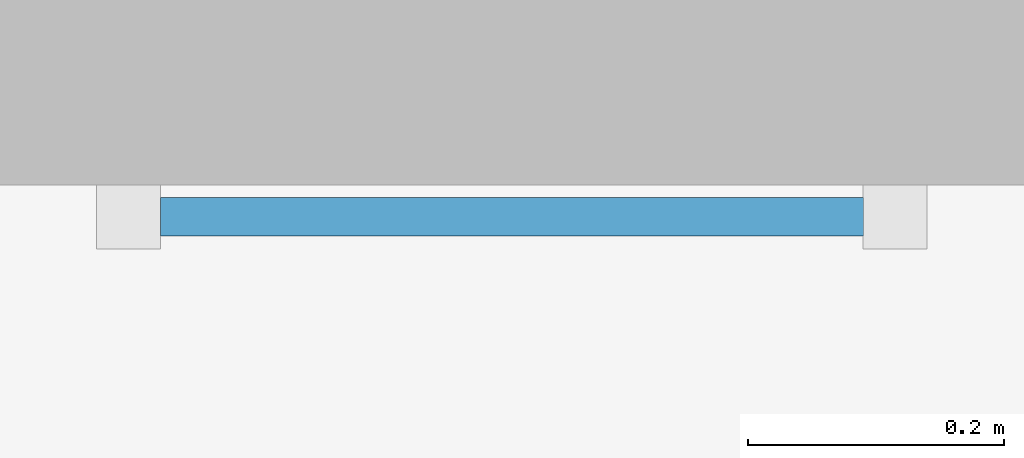
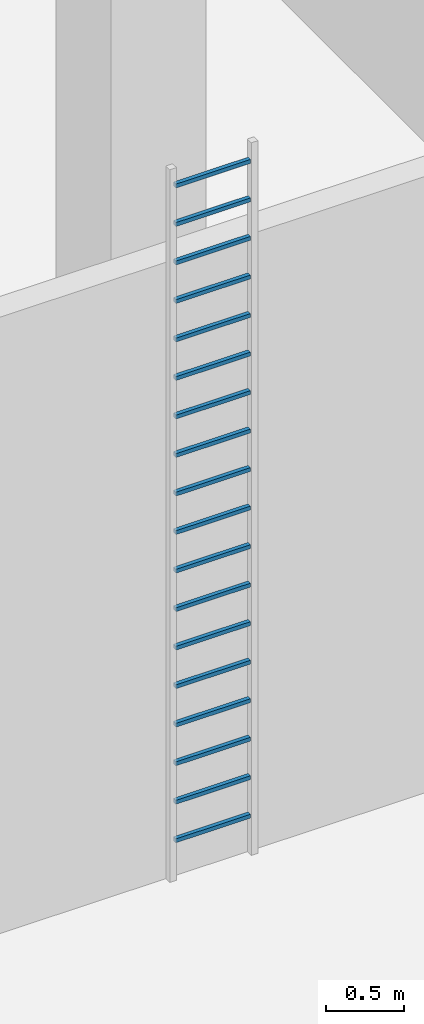
# One storey, part 146 of 210: 18 discrete accessories.
"""IFC4 building model written with IfcOpenShell, lengths in metres."""

from ifc_helpers import new_model, si_unit, direction, frame, origin, origin_2d, place, context, subcontext, project, spatial, rectangle, extrude, material, layer, layer_set, type_object, element, save


model = new_model("IFC4")

# Units and contexts
model_context = context("Model", 3, precision=1e-05, world=origin(), true_north=direction((0.0, 1.0)))
body_context = subcontext(model_context, "Body", "Model", "MODEL_VIEW")
ifc_project = project(units=[si_unit("LENGTHUNIT", "METRE"), si_unit("AREAUNIT", "SQUARE_METRE"), si_unit("VOLUMEUNIT", "CUBIC_METRE"), si_unit("PLANEANGLEUNIT", "RADIAN"), si_unit("MASSUNIT", "GRAM", prefix="KILO")], contexts=[model_context])

# Site, building, storey
site_placement = place(None, origin())
site = spatial("IfcSite", under=ifc_project, at=site_placement, CompositionType="ELEMENT")
building_placement = place(site_placement, origin())
building = spatial("IfcBuilding", under=site, at=building_placement, Name="Rain Tree Exposition and Congress Centre", CompositionType="ELEMENT")
storey_placement = place(building_placement, origin())
storey = spatial("IfcBuildingStorey", under=building, at=storey_placement, Name="L00", CompositionType="ELEMENT", Elevation=0.0)

# Discrete accessories
ifc_material = material(Name="Galvanised steel", Category="steel")
ifc_layer = layer(ifc_material, 0.030029296875)
ifc_layer_set = layer_set([ifc_layer], Name="Galvanised steel")
discrete_accessory_type = type_object("IfcDiscreteAccessoryType", Name="Access ladder rung 30", PredefinedType="USERDEFINED", material=ifc_layer_set)
for number, where, z_axis, x_axis, name in (
    (1, (250.10009765625, 121.675048828125, 0.28515625), (0.0, 0.0, 1.0), (1.0, 0.0, 0.0), "Ladder rung 1"),
    (2, (250.10009765625, 121.675048828125, 0.5849609375), (0.0, 0.0, 1.0), (1.0, 0.0, 0.0), "Ladder rung 2"),
    (3, (250.10009765625, 121.675048828125, 0.884765625), (0.0, 0.0, 1.0), (1.0, 0.0, 0.0), "Ladder rung 3"),
    (4, (250.10009765625, 121.675048828125, 1.18505859375), (0.0, 0.0, 1.0), (1.0, 0.0, 0.0), "Ladder rung 4"),
    (5, (250.10009765625, 121.675048828125, 1.48486328125), (0.0, 0.0, 1.0), (1.0, 0.0, 0.0), "Ladder rung 5"),
    (6, (250.10009765625, 121.675048828125, 1.78515625), (0.0, 0.0, 1.0), (1.0, 0.0, 0.0), "Ladder rung 6"),
    (7, (250.10009765625, 121.675048828125, 2.0849609375), (0.0, 0.0, 1.0), (1.0, 0.0, 0.0), "Ladder rung 7"),
    (8, (250.10009765625, 121.675048828125, 2.384765625), (0.0, 0.0, 1.0), (1.0, 0.0, 0.0), "Ladder rung 8"),
    (9, (250.10009765625, 121.675048828125, 2.68505859375), (0.0, 0.0, 1.0), (1.0, 0.0, 0.0), "Ladder rung 9"),
    (10, (250.10009765625, 121.675048828125, 2.98486328125), (0.0, 0.0, 1.0), (1.0, 0.0, 0.0), "Ladder rung 10"),
    (11, (250.10009765625, 121.675048828125, 3.28515625), (0.0, 0.0, 1.0), (1.0, 0.0, 0.0), "Ladder rung 11"),
    (12, (250.10009765625, 121.675048828125, 3.5849609375), (0.0, 0.0, 1.0), (1.0, 0.0, 0.0), "Ladder rung 12"),
    (13, (250.10009765625, 121.675048828125, 3.884765625), (0.0, 0.0, 1.0), (1.0, 0.0, 0.0), "Ladder rung 13"),
    (14, (250.10009765625, 121.675048828125, 4.18505859375), (0.0, 0.0, 1.0), (1.0, 0.0, 0.0), "Ladder rung 14"),
    (15, (250.10009765625, 121.675048828125, 4.48486328125), (0.0, 0.0, 1.0), (1.0, 0.0, 0.0), "Ladder rung 15"),
    (16, (250.10009765625, 121.675048828125, 4.78515625), (0.0, 0.0, 1.0), (1.0, 0.0, 0.0), "Ladder rung 16"),
    (17, (250.10009765625, 121.675048828125, 5.0849609375), (0.0, 0.0, 1.0), (1.0, 0.0, 0.0), "Ladder rung 17"),
    (18, (250.10009765625, 121.675048828125, 5.384765625), (0.0, 0.0, 1.0), (1.0, 0.0, 0.0), "Ladder rung 18"),
):
    element("IfcDiscreteAccessory", number, at=place(storey_placement, frame(where, z_axis=z_axis, x_axis=x_axis)), inside=storey, type_object=discrete_accessory_type, Name=name, ObjectType="ACCESS LADDER", PredefinedType="USERDEFINED", context=body_context, shape_type="SweptSolid", body=[
        extrude(rectangle(XDim=0.550048828125, YDim=0.030029296875, at=origin_2d()), origin(), (0.0, 0.0, 1.0), 0.030029296875),
    ])

save(model, "model.ifc")
